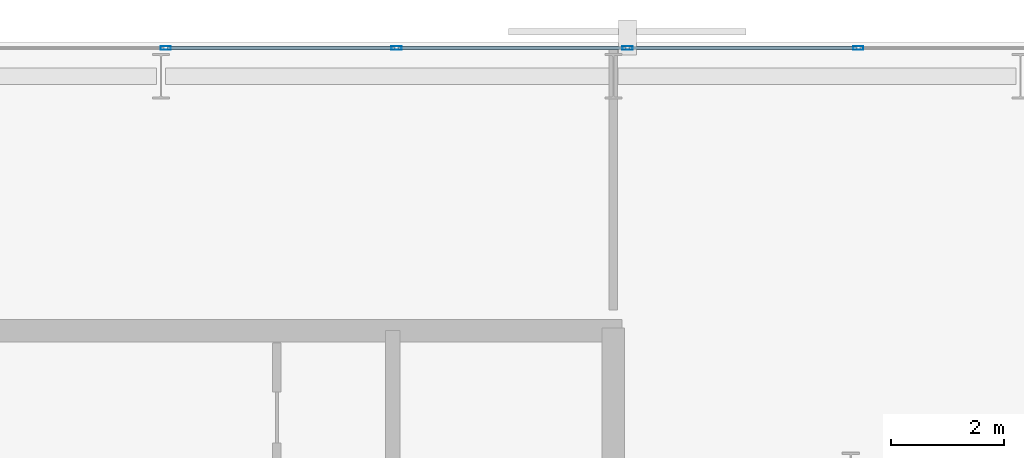
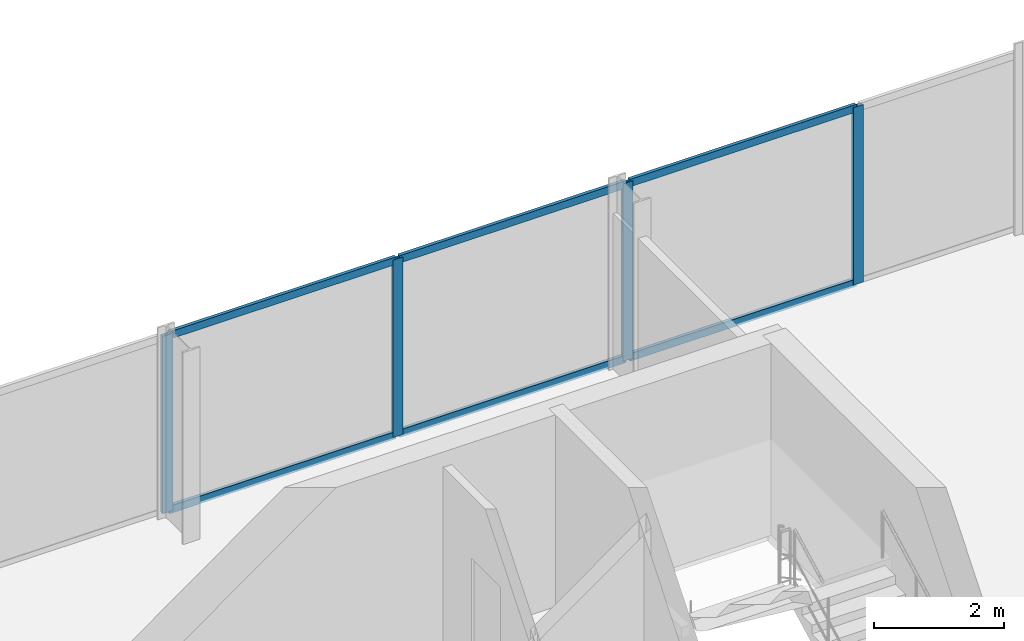
# One storey, part 25 of 32: 10 members, 1 element without a shape of its own.
"""IFC4 building model written with IfcOpenShell, lengths in metres."""

from ifc_helpers import new_model, si_unit, direction, frame, origin, origin_2d, place, context, subcontext, project, spatial, hollow_rectangle, extrude, material, layer, layer_set, material_profile, profile_set, type_object, element, aggregate, save


model = new_model("IFC4")

# Units and contexts
model_context = context("Model", 3, precision=1e-05, world=origin(), true_north=direction((0.0, 1.0)))
body_context = subcontext(model_context, "Body", "Model", "MODEL_VIEW")
ifc_project = project(units=[si_unit("LENGTHUNIT", "METRE"), si_unit("AREAUNIT", "SQUARE_METRE"), si_unit("VOLUMEUNIT", "CUBIC_METRE"), si_unit("PLANEANGLEUNIT", "RADIAN"), si_unit("MASSUNIT", "GRAM", prefix="KILO")], contexts=[model_context])

# Site, building, storey
site_placement = place(None, origin())
site = spatial("IfcSite", under=ifc_project, at=site_placement, CompositionType="ELEMENT")
building_placement = place(site_placement, origin())
building = spatial("IfcBuilding", under=site, at=building_placement, Name="Catumbela Crestline Tower", CompositionType="ELEMENT")
storey_placement = place(building_placement, frame((0.0, 0.0, 65.4)))
storey = spatial("IfcBuildingStorey", under=building, at=storey_placement, Name="L16", CompositionType="ELEMENT", Elevation=65.4)

# Curtain wall, members
ifc_material = material(Name="Aluminium alloy AW-6060-T66", Category="aluminium")
ifc_layer = layer(ifc_material, 0.18, Name="Aluminium alloy AW-6060-T66")
ifc_layer_set = layer_set([ifc_layer], Name="Aluminium alloy AW-6060-T66")
curtain_wall_type = type_object("IfcCurtainWallType", Name="CWU-Z1", PredefinedType="USERDEFINED", material=ifc_layer_set)
curtain_wall_placement = place(storey_placement, origin())
curtain_wall = element("IfcCurtainWall", 1, at=curtain_wall_placement, inside=storey, type_object=curtain_wall_type, Name="L16 Unitised Curtain Wall CW-L16-E7S1", ObjectType="UNITISED", PredefinedType="USERDEFINED")
ifc_material_profile_1 = material_profile(ifc_material, hollow_rectangle(XDim=0.065, YDim=0.18, WallThickness=0.004, at=origin_2d()), Name="ALU 180x65x4")
ifc_profile_set_1 = profile_set([ifc_material_profile_1], Name="Aluminium alloy AW-6060-T66")
member_type_1 = type_object("IfcMemberType", Name="MUL-180X65", PredefinedType="MULLION", material=ifc_profile_set_1)
member_1_placement = place(storey_placement, frame((44.3333, 47.9, 0.0), z_axis=(0.0, 0.0, 1.0), x_axis=(0.0, -1.0, 0.0)))
member_1 = element("IfcMember", 2, at=member_1_placement, type_object=member_type_1, Name="CWU-Z1 mullion 3", PredefinedType="MULLION", context=body_context, shape_type="SweptSolid", body=[
    extrude(hollow_rectangle(XDim=0.065, YDim=0.18, WallThickness=0.004, at=origin_2d()), origin(), (0.0, 0.0, 1.0), 3.33),
])
member_2_placement = place(storey_placement, frame((40.25, 47.9, 0.0), z_axis=(0.0, 0.0, 1.0), x_axis=(0.0, -1.0, 0.0)))
member_2 = element("IfcMember", 3, at=member_2_placement, type_object=member_type_1, Name="CWU-Z1 mullion 4", PredefinedType="MULLION", context=body_context, shape_type="SweptSolid", body=[
    extrude(hollow_rectangle(XDim=0.065, YDim=0.18, WallThickness=0.004, at=origin_2d()), origin(), (0.0, 0.0, 1.0), 3.33),
])
member_3_placement = place(storey_placement, frame((36.1667, 47.9, 0.0), z_axis=(0.0, 0.0, 1.0), x_axis=(0.0, -1.0, 0.0)))
member_3 = element("IfcMember", 4, at=member_3_placement, type_object=member_type_1, Name="CWU-Z1 mullion 5", PredefinedType="MULLION", context=body_context, shape_type="SweptSolid", body=[
    extrude(hollow_rectangle(XDim=0.065, YDim=0.18, WallThickness=0.004, at=origin_2d()), origin(), (0.0, 0.0, 1.0), 3.33),
])
member_4_placement = place(storey_placement, frame((32.0833, 47.9, 0.0), z_axis=(0.0, 0.0, 1.0), x_axis=(0.0, -1.0, 0.0)))
member_4 = element("IfcMember", 5, at=member_4_placement, type_object=member_type_1, Name="CWU-Z1 mullion 6", PredefinedType="MULLION", context=body_context, shape_type="SweptSolid", body=[
    extrude(hollow_rectangle(XDim=0.065, YDim=0.18, WallThickness=0.004, at=origin_2d()), origin(), (0.0, 0.0, 1.0), 3.33),
])
ifc_material_profile_2 = material_profile(ifc_material, hollow_rectangle(XDim=0.06, YDim=0.14, WallThickness=0.004, at=origin_2d()), Name="ALU 140x60x4")
ifc_profile_set_2 = profile_set([ifc_material_profile_2], Name="Aluminium alloy AW-6060-T66")
member_type_2 = type_object("IfcMemberType", Name="TRN-140X60", PredefinedType="USERDEFINED", material=ifc_profile_set_2)
member_5_placement = place(storey_placement, frame((44.3008, 47.9, 0.03), z_axis=(-1.0, 0.0, 0.0), x_axis=(0.0, -1.0, 0.0)))
member_5 = element("IfcMember", 6, at=member_5_placement, type_object=member_type_2, Name="CWU-Z1 transom 3.1", ObjectType="TRANSOM", PredefinedType="USERDEFINED", context=body_context, shape_type="SweptSolid", body=[
    extrude(hollow_rectangle(XDim=0.06, YDim=0.14, WallThickness=0.004, at=origin_2d()), origin(), (0.0, 0.0, 1.0), 4.0183),
])
member_6_placement = place(storey_placement, frame((44.3008, 47.9, 3.3), z_axis=(-1.0, 0.0, 0.0), x_axis=(0.0, -1.0, 0.0)))
member_6 = element("IfcMember", 7, at=member_6_placement, type_object=member_type_2, Name="CWU-Z1 transom 3.2", ObjectType="TRANSOM", PredefinedType="USERDEFINED", context=body_context, shape_type="SweptSolid", body=[
    extrude(hollow_rectangle(XDim=0.06, YDim=0.14, WallThickness=0.004, at=origin_2d()), origin(), (0.0, 0.0, 1.0), 4.0183),
])
member_7_placement = place(storey_placement, frame((40.2175, 47.9, 0.03), z_axis=(-1.0, 0.0, 0.0), x_axis=(0.0, -1.0, 0.0)))
member_7 = element("IfcMember", 8, at=member_7_placement, type_object=member_type_2, Name="CWU-Z1 transom 4.1", ObjectType="TRANSOM", PredefinedType="USERDEFINED", context=body_context, shape_type="SweptSolid", body=[
    extrude(hollow_rectangle(XDim=0.06, YDim=0.14, WallThickness=0.004, at=origin_2d()), origin(), (0.0, 0.0, 1.0), 4.0183),
])
member_8_placement = place(storey_placement, frame((40.2175, 47.9, 3.3), z_axis=(-1.0, 0.0, 0.0), x_axis=(0.0, -1.0, 0.0)))
member_8 = element("IfcMember", 9, at=member_8_placement, type_object=member_type_2, Name="CWU-Z1 transom 4.2", ObjectType="TRANSOM", PredefinedType="USERDEFINED", context=body_context, shape_type="SweptSolid", body=[
    extrude(hollow_rectangle(XDim=0.06, YDim=0.14, WallThickness=0.004, at=origin_2d()), origin(), (0.0, 0.0, 1.0), 4.0183),
])
member_9_placement = place(storey_placement, frame((36.1342, 47.9, 0.03), z_axis=(-1.0, 0.0, 0.0), x_axis=(0.0, -1.0, 0.0)))
member_9 = element("IfcMember", 10, at=member_9_placement, type_object=member_type_2, Name="CWU-Z1 transom 5.1", ObjectType="TRANSOM", PredefinedType="USERDEFINED", context=body_context, shape_type="SweptSolid", body=[
    extrude(hollow_rectangle(XDim=0.06, YDim=0.14, WallThickness=0.004, at=origin_2d()), origin(), (0.0, 0.0, 1.0), 4.0184),
])
member_10_placement = place(storey_placement, frame((36.1342, 47.9, 3.3), z_axis=(-1.0, 0.0, 0.0), x_axis=(0.0, -1.0, 0.0)))
member_10 = element("IfcMember", 11, at=member_10_placement, type_object=member_type_2, Name="CWU-Z1 transom 5.2", ObjectType="TRANSOM", PredefinedType="USERDEFINED", context=body_context, shape_type="SweptSolid", body=[
    extrude(hollow_rectangle(XDim=0.06, YDim=0.14, WallThickness=0.004, at=origin_2d()), origin(), (0.0, 0.0, 1.0), 4.0184),
])
aggregate(curtain_wall, [member_1, member_2, member_3, member_4, member_5, member_6, member_7, member_8, member_9, member_10])

save(model, "model.ifc")
